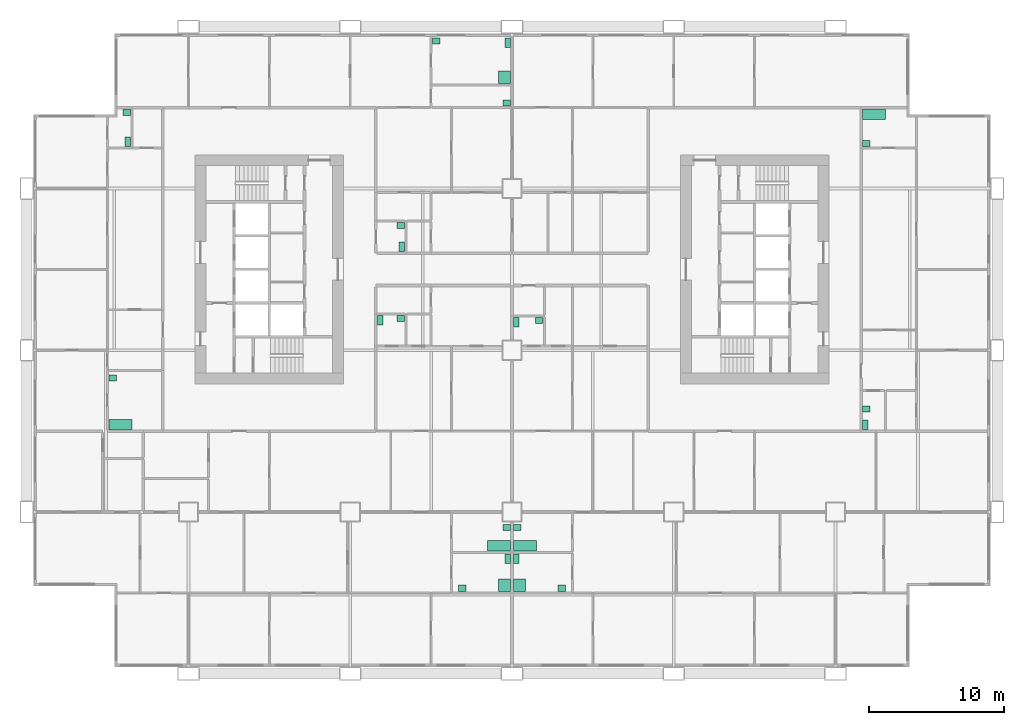
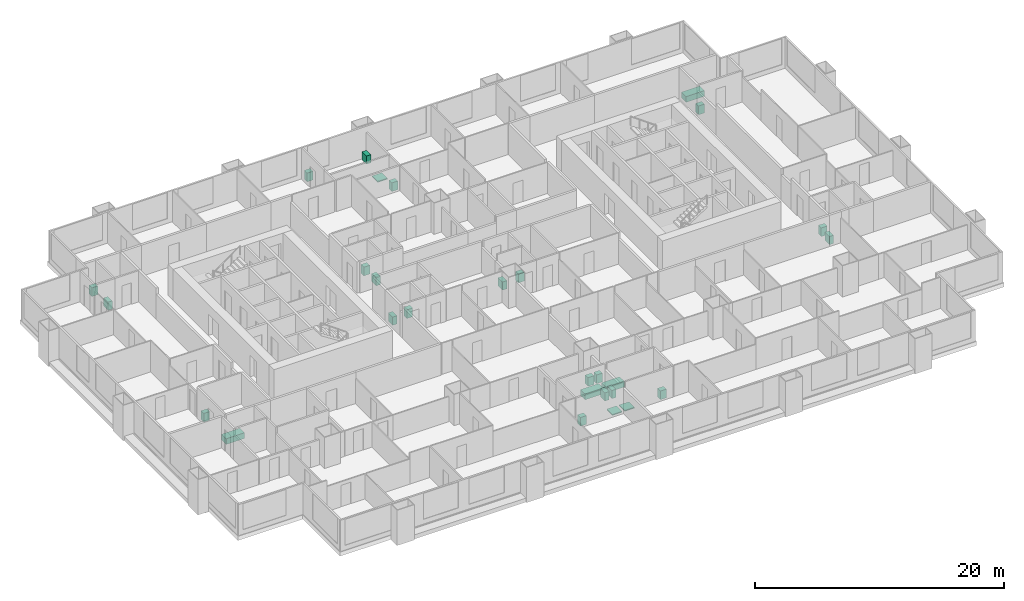
# One storey, part 14 of 14: 28 sanitary terminals.
"""IFC4 building model written with IfcOpenShell, lengths in metres."""

from ifc_helpers import new_model, si_unit, direction, frame, origin, origin_2d, place, context, subcontext, project, spatial, rectangle, extrude, material, type_object, element, save


model = new_model("IFC4")

# Units and contexts
model_context = context("Model", 3, precision=1e-05, world=origin(), true_north=direction((0.0, 1.0)))
body_context = subcontext(model_context, "Body", "Model", "MODEL_VIEW")
ifc_project = project(units=[si_unit("LENGTHUNIT", "METRE"), si_unit("AREAUNIT", "SQUARE_METRE"), si_unit("VOLUMEUNIT", "CUBIC_METRE"), si_unit("PLANEANGLEUNIT", "RADIAN"), si_unit("MASSUNIT", "GRAM", prefix="KILO")], contexts=[model_context])

# Site, building, storey
site_placement = place(None, origin())
site = spatial("IfcSite", under=ifc_project, at=site_placement, CompositionType="ELEMENT")
building_placement = place(site_placement, origin())
building = spatial("IfcBuilding", under=site, at=building_placement, Name="Kitamizu Gate Tower and Museum", CompositionType="ELEMENT")
storey_placement = place(building_placement, frame((0.0, 0.0, 67.949951171875)))
storey = spatial("IfcBuildingStorey", under=building, at=storey_placement, Name="L16", CompositionType="ELEMENT", Elevation=67.949951171875)

# Sanitary terminals
ifc_material_1 = material(Name="Acrylic")
sanitary_terminal_type_1 = type_object("IfcSanitaryTerminalType", Name="Bath", PredefinedType="BATH", material=ifc_material_1)
for number, where, z_axis, x_axis, name in (
    (1, (35.030029296875, 9.4951171875, 0.0009765625), (0.0, 0.0, 1.0), (1.0, 0.0, 0.0), "Bath Bathroom 16A"),
    (2, (36.969970703125, 9.4951171875, 0.0009765625), (0.0, 0.0, 1.0), (1.0, 0.0, 0.0), "Bath Bathroom 16B"),
    (3, (6.969970703125, 18.4951171875, 0.0009765625), (0.0, 0.0, 1.0), (1.0, 0.0, 0.0), "Bath Bathroom 16C"),
    (4, (62.8701171875, 41.5048828125, 0.0009765625), (0.0, 0.0, 1.0), (1.0, 0.0, 0.0), "Bath Bathroom 16E"),
):
    element("IfcSanitaryTerminal", number, at=place(storey_placement, frame(where, z_axis=z_axis, x_axis=x_axis)), inside=storey, type_object=sanitary_terminal_type_1, Name=name, PredefinedType="BATH", context=body_context, shape_type="SweptSolid", body=[
        extrude(rectangle(XDim=1.699951171875, YDim=0.75, at=origin_2d()), origin(), (0.0, 0.0, 1.0), 0.550048828125),
    ])
ifc_material_2 = material(Name="Acrylic")
sanitary_terminal_type_2 = type_object("IfcSanitaryTerminalType", Name="Shower tray", PredefinedType="SHOWER", material=ifc_material_2)
for number, where, z_axis, x_axis, name in (
    (5, (35.429931640625, 6.570068359375, 0.0009765625), (0.0, 0.0, 1.0), (1.0, 0.0, 0.0), "Shower tray En-suite bathroom 16A"),
    (6, (36.570068359375, 6.570068359375, 0.0009765625), (0.0, 0.0, 1.0), (1.0, 0.0, 0.0), "Shower tray En-suite bathroom 16B"),
    (7, (35.429931640625, 44.25, 0.0009765625), (0.0, 0.0, 1.0), (1.0, 0.0, 0.0), "Shower tray En-suite bathroom 16D"),
):
    element("IfcSanitaryTerminal", number, at=place(storey_placement, frame(where, z_axis=z_axis, x_axis=x_axis)), inside=storey, type_object=sanitary_terminal_type_2, Name=name, PredefinedType="SHOWER", context=body_context, shape_type="SweptSolid", body=[
        extrude(rectangle(XDim=0.89990234375, YDim=0.89990234375, at=origin_2d()), origin(), (0.0, 0.0, 1.0), 0.10009765625),
    ])
ifc_material_3 = material(Name="Vitreous china")
sanitary_terminal_type_3 = type_object("IfcSanitaryTerminalType", Name="Wash hand basin", PredefinedType="WASHHANDBASIN", material=ifc_material_3)
for number, where, z_axis, x_axis, name in (
    (8, (32.294921875, 6.344970703125, 0.0009765625), (0.0, 0.0, 1.0), (1.0, 0.0, 0.0), "Wash hand basin En-suite bathroom 16A"),
    (9, (35.60498046875, 10.85498046875, 0.0009765625), (0.0, 0.0, 1.0), (1.0, 0.0, 0.0), "Wash hand basin Bathroom 16A"),
    (10, (27.7548828125, 26.35498046875, 0.0009765625), (0.0, 0.0, 1.0), (1.0, 0.0, 0.0), "Wash hand basin WC 16A"),
    (11, (39.705078125, 6.344970703125, 0.0009765625), (0.0, 0.0, 1.0), (1.0, 0.0, 0.0), "Wash hand basin En-suite bathroom 16B"),
    (12, (36.39501953125, 10.85498046875, 0.0009765625), (0.0, 0.0, 1.0), (1.0, 0.0, 0.0), "Wash hand basin Bathroom 16B"),
    (13, (38.0048828125, 26.205078125, 0.0009765625), (0.0, 0.0, 1.0), (1.0, 0.0, 0.0), "Wash hand basin WC 16B"),
    (14, (6.39501953125, 21.955078125, 0.0009765625), (0.0, 0.0, 1.0), (1.0, 0.0, 0.0), "Wash hand basin Bathroom 16C"),
    (15, (7.405029296875, 41.655029296875, 0.0009765625), (0.0, 0.0, 1.0), (1.0, 0.0, 0.0), "Wash hand basin WC 16C"),
    (16, (30.39501953125, 46.93505859375, 0.0009765625), (0.0, 0.0, 1.0), (1.0, 0.0, 0.0), "Wash hand basin En-suite bathroom 16D"),
    (17, (35.60498046875, 42.344970703125, 0.0009765625), (0.0, 0.0, 1.0), (1.0, 0.0, 0.0), "Wash hand basin Wash room 16D"),
    (18, (27.7548828125, 33.2548828125, 0.0009765625), (0.0, 0.0, 1.0), (1.0, 0.0, 0.0), "Wash hand basin WC 16D"),
    (19, (62.294921875, 19.655029296875, 0.0009765625), (0.0, 0.0, 1.0), (1.0, 0.0, 0.0), "Wash hand basin WC 16E"),
    (20, (62.294921875, 39.344970703125, 0.0009765625), (0.0, 0.0, 1.0), (1.0, 0.0, 0.0), "Wash hand basin Bathroom 16E"),
):
    element("IfcSanitaryTerminal", number, at=place(storey_placement, frame(where, z_axis=z_axis, x_axis=x_axis)), inside=storey, type_object=sanitary_terminal_type_3, Name=name, PredefinedType="WASHHANDBASIN", context=body_context, shape_type="SweptSolid", body=[
        extrude(rectangle(XDim=0.550048828125, YDim=0.449951171875, at=origin_2d()), origin(), (0.0, 0.0, 1.0), 0.85009765625),
    ])
ifc_material_4 = material(Name="Vitreous china")
sanitary_terminal_type_4 = type_object("IfcSanitaryTerminalType", Name="Water closet", PredefinedType="TOILETPAN", material=ifc_material_4)
for number, where, z_axis, x_axis, name in (
    (21, (35.679931640625, 8.530029296875, 0.0009765625), (0.0, 0.0, 1.0), (1.0, 0.0, 0.0), "Water closet En-suite bathroom 16A"),
    (22, (26.219970703125, 26.22998046875, 0.0009765625), (0.0, 0.0, 1.0), (1.0, 0.0, 0.0), "Water closet WC 16A"),
    (23, (36.320068359375, 8.530029296875, 0.0009765625), (0.0, 0.0, 1.0), (1.0, 0.0, 0.0), "Water closet En-suite bathroom 16B"),
    (24, (36.320068359375, 26.080078125, 0.0009765625), (0.0, 0.0, 1.0), (1.0, 0.0, 0.0), "Water closet WC 16B"),
    (25, (7.47998046875, 39.469970703125, 0.0009765625), (0.0, 0.0, 1.0), (1.0, 0.0, 0.0), "Water closet WC 16C"),
    (26, (35.679931640625, 46.81005859375, 0.0009765625), (0.0, 0.0, 1.0), (1.0, 0.0, 0.0), "Water closet En-suite bathroom 16D"),
    (27, (27.830078125, 31.669921875, 0.0009765625), (0.0, 0.0, 1.0), (1.0, 0.0, 0.0), "Water closet WC 16D"),
    (28, (62.219970703125, 18.469970703125, 0.0009765625), (0.0, 0.0, 1.0), (1.0, 0.0, 0.0), "Water closet WC 16E"),
):
    element("IfcSanitaryTerminal", number, at=place(storey_placement, frame(where, z_axis=z_axis, x_axis=x_axis)), inside=storey, type_object=sanitary_terminal_type_4, Name=name, PredefinedType="TOILETPAN", context=body_context, shape_type="SweptSolid", body=[
        extrude(rectangle(XDim=0.39990234375, YDim=0.699951171875, at=origin_2d()), origin(), (0.0, 0.0, 1.0), 0.800048828125),
    ])

save(model, "model.ifc")
